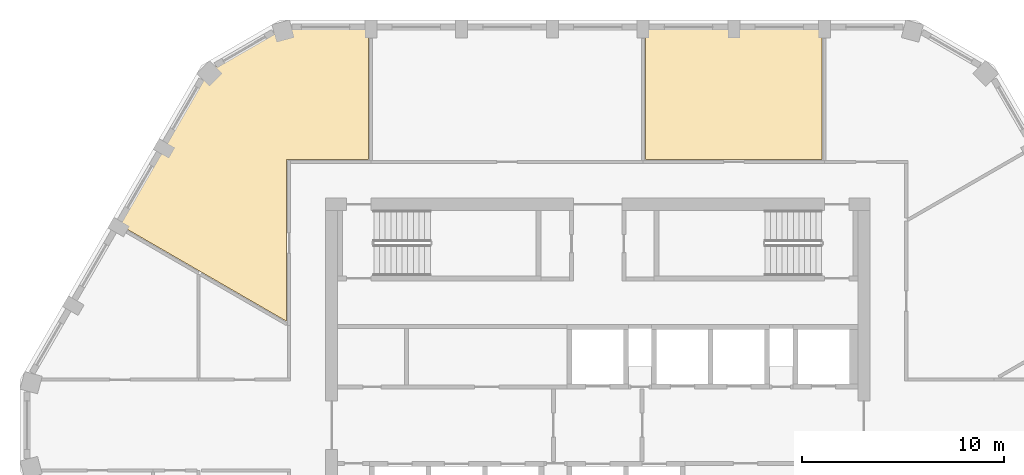
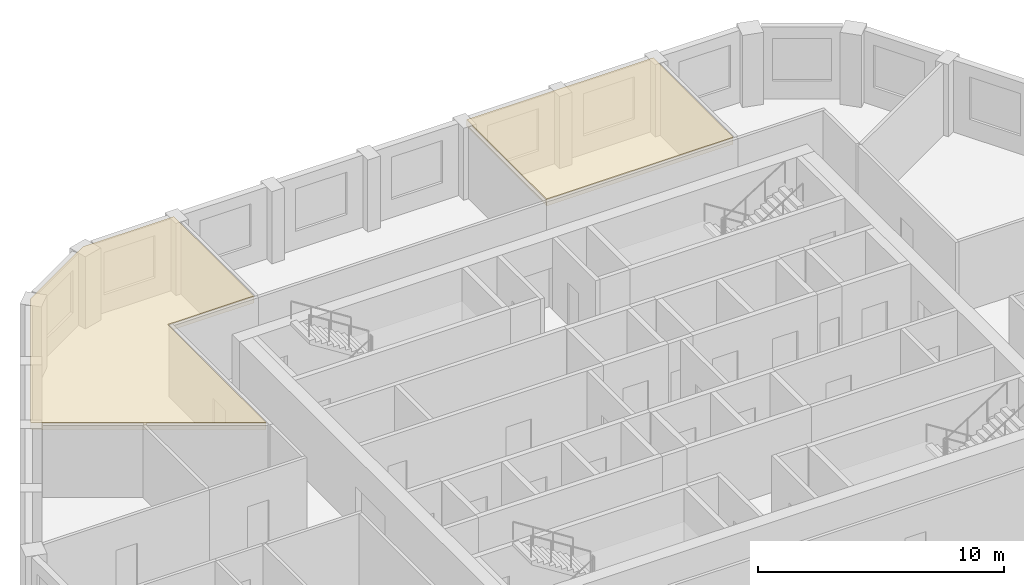
# One storey, part 10 of 10: 2 coverings.
"""IFC4 building model written with IfcOpenShell, lengths in metres."""

from ifc_helpers import new_model, si_unit, direction, frame, origin, place, context, subcontext, project, spatial, polyline, outline, extrude, material, layer, layer_set, type_object, element, save


model = new_model("IFC4")

# Units and contexts
model_context = context("Model", 3, precision=1e-05, world=origin(), true_north=direction((0.0, 1.0)))
body_context = subcontext(model_context, "Body", "Model", "MODEL_VIEW")
ifc_project = project(units=[si_unit("LENGTHUNIT", "METRE"), si_unit("AREAUNIT", "SQUARE_METRE"), si_unit("VOLUMEUNIT", "CUBIC_METRE"), si_unit("PLANEANGLEUNIT", "RADIAN"), si_unit("MASSUNIT", "GRAM", prefix="KILO")], contexts=[model_context])

# Site, building, storey
site_placement = place(None, origin())
site = spatial("IfcSite", under=ifc_project, at=site_placement, CompositionType="ELEMENT")
building_placement = place(site_placement, origin())
building = spatial("IfcBuilding", under=site, at=building_placement, Name="Dhurran Vertical Campus", CompositionType="ELEMENT")
storey_placement = place(building_placement, frame((0.0, 0.0, 298.199951171875)))
storey = spatial("IfcBuildingStorey", under=building, at=storey_placement, Name="L74", CompositionType="ELEMENT", Elevation=298.199951171875)

# Coverings
ifc_material = material(Name="Mineral fibre ceiling tiles on suspended grid")
ifc_layer = layer(ifc_material, 0.35009765625)
ifc_layer_set = layer_set([ifc_layer], Name="Mineral fibre ceiling tiles on suspended grid")
covering_type = type_object("IfcCoveringType", Name="fl-CE-350 suspended ceiling", PredefinedType="CEILING", material=ifc_layer_set)
covering_1_placement = place(storey_placement, frame((0.0, 0.0, 3.22509765625)))
element("IfcCovering", 1, at=covering_1_placement, inside=storey, type_object=covering_type, Name="Ceiling 74-08", PredefinedType="CEILING", context=body_context, shape_type="SweptSolid", body=[
    extrude(outline(polyline([(-23.722900390625, 9.93798828125), (-19.339111328125, 17.531005859375), (-15.637939453125, 19.66796875), (-11.3701171875, 19.66796875), (-11.3701171875, 13.169921875), (-15.419921875, 13.169921875), (-15.419921875, 5.14404296875), (-23.722900390625, 9.93798828125)])), origin(), (0.0, 0.0, 1.0), 0.349853515625),
])
covering_2_placement = place(storey_placement, frame((0.0, 0.0, 3.22509765625)))
element("IfcCovering", 2, at=covering_2_placement, inside=storey, type_object=covering_type, Name="Ceiling 74-13", PredefinedType="CEILING", context=body_context, shape_type="SweptSolid", body=[
    extrude(outline(polyline([(2.3701171875, 19.66796875), (11.1298828125, 19.66796875), (11.1298828125, 13.169921875), (2.3701171875, 13.169921875), (2.3701171875, 19.66796875)])), origin(), (0.0, 0.0, 1.0), 0.349853515625),
])

save(model, "model.ifc")
